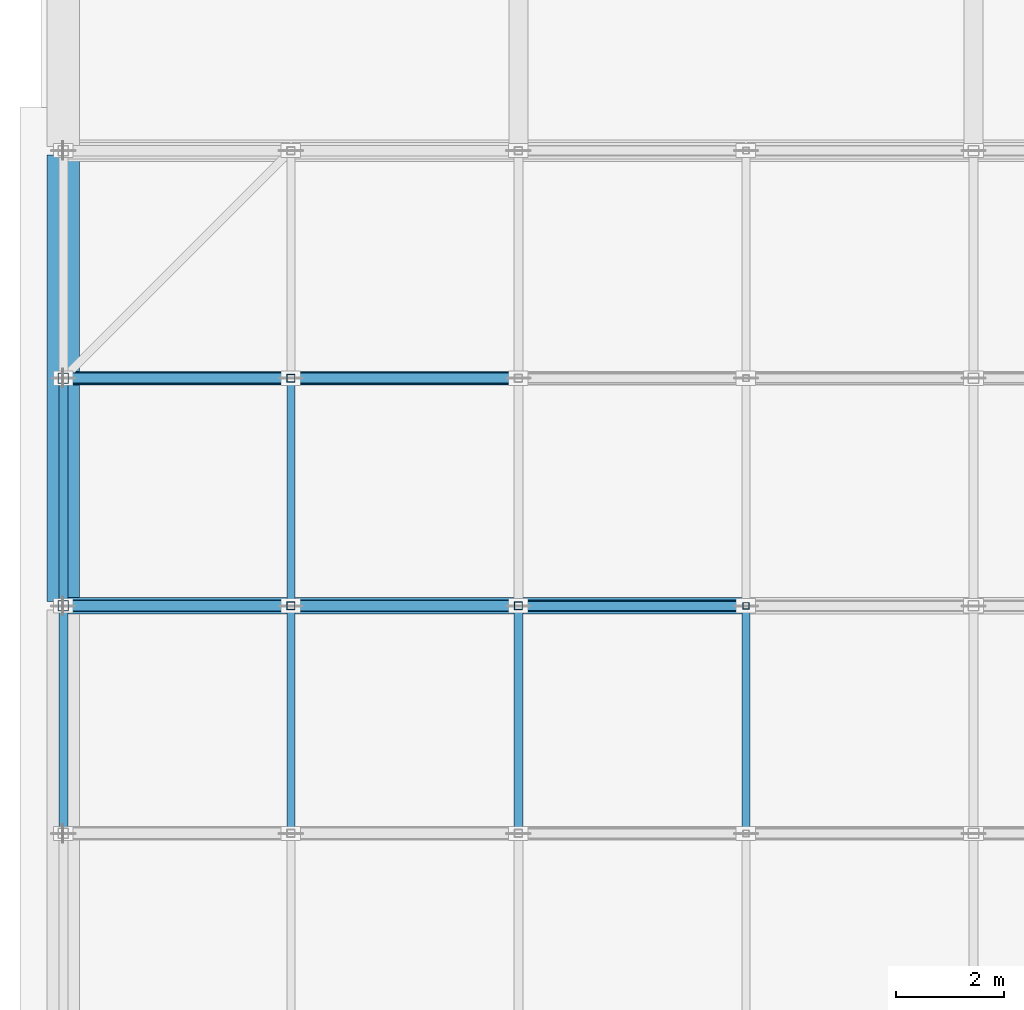
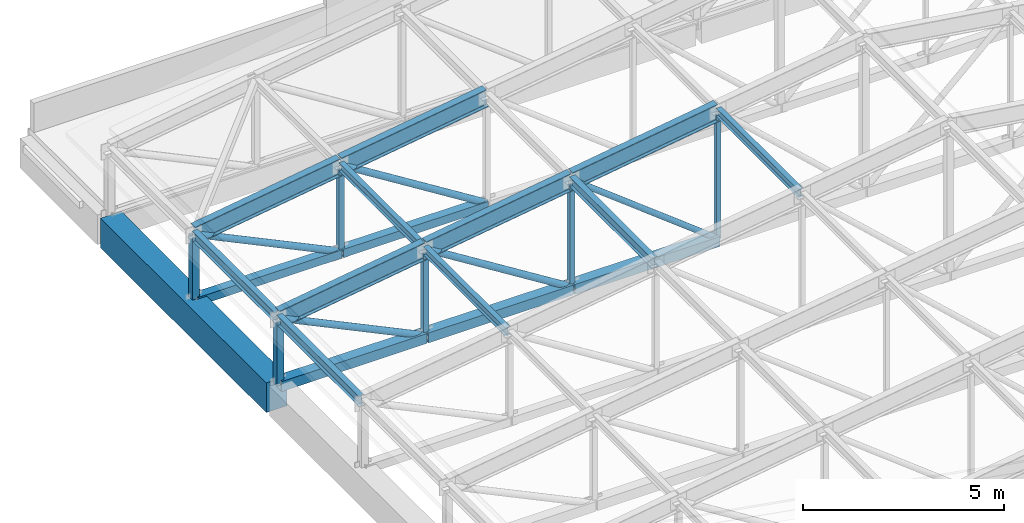
# One storey, part 35 of 122: 27 members, 1 beam.
"""IFC4 building model written with IfcOpenShell, lengths in metres."""

from ifc_helpers import new_model, si_unit, direction, frame, origin, origin_2d, place, context, subcontext, project, spatial, rectangle, hollow_rectangle, hollow_circle, i_section, extrude, material, material_profile, profile_set, type_object, element, save


model = new_model("IFC4")

# Units and contexts
model_context = context("Model", 3, precision=1e-05, world=origin(), true_north=direction((0.0, 1.0)))
body_context = subcontext(model_context, "Body", "Model", "MODEL_VIEW")
ifc_project = project(units=[si_unit("LENGTHUNIT", "METRE"), si_unit("AREAUNIT", "SQUARE_METRE"), si_unit("VOLUMEUNIT", "CUBIC_METRE"), si_unit("PLANEANGLEUNIT", "RADIAN"), si_unit("MASSUNIT", "GRAM", prefix="KILO")], contexts=[model_context])

# Site, building, storey
site_placement = place(None, origin())
site = spatial("IfcSite", under=ifc_project, at=site_placement, CompositionType="ELEMENT")
building_placement = place(site_placement, origin())
building = spatial("IfcBuilding", under=site, at=building_placement, Name="Telukmera Botanical Conservatory", CompositionType="ELEMENT")
storey_placement = place(building_placement, frame((0.0, 0.0, 10.199951171875)))
storey = spatial("IfcBuildingStorey", under=building, at=storey_placement, Name="L02", CompositionType="ELEMENT", Elevation=10.199951171875)

# Beam
ifc_material_1 = material(Name="Concrete C40/50", Category="concrete")
ifc_material_profile_1 = material_profile(ifc_material_1, rectangle(XDim=0.60009765625, YDim=0.89990234375, at=origin_2d()), Name="RC 600x900")
ifc_profile_set_1 = profile_set([ifc_material_profile_1], Name="Concrete C40/50")
beam_type = type_object("IfcBeamType", Name="Beam_B3", PredefinedType="BEAM", material=ifc_profile_set_1)
beam_placement = place(storey_placement, frame((8.39990234375, 108.47998046875, -0.449951171875), z_axis=(0.0, 1.0, 0.0), x_axis=(-1.0, 0.0, 0.0)))
element("IfcBeam", 1, at=beam_placement, inside=storey, type_object=beam_type, Name="Auditorium Frame Beam beam:V2:L02:eave:84:1084", PredefinedType="BEAM", context=body_context, shape_type="SweptSolid", body=[
    extrude(rectangle(XDim=0.60009765625, YDim=0.89990234375, at=origin_2d()), origin(), (0.0, 0.0, 1.0), 8.239990234375),
])

# Members
ifc_material_2 = material(Name="Steel S355", Category="steel")
ifc_material_profile_2 = material_profile(ifc_material_2, i_section(OverallWidth=0.210693359375, OverallDepth=0.53955078125, WebThickness=0.01171875, FlangeThickness=0.018798828125, FilletRadius=0.0126953125, at=origin_2d()), Name="UB 533x210x109")
ifc_profile_set_2 = profile_set([ifc_material_profile_2], Name="Steel S355")
member_type_1 = type_object("IfcMemberType", Name="Mem_TC1", PredefinedType="CHORD", material=ifc_profile_set_2)
member_1_placement = place(storey_placement, frame((8.419921875, 108.39990234375, 1.923095703125), z_axis=(0.989021335912, 0.0, 0.147772788805), x_axis=(0.0, 1.0, 0.0)))
element("IfcMember", 2, at=member_1_placement, inside=storey, type_object=member_type_1, Name="Auditorium Pratt Truss Top Chord T7-1", PredefinedType="CHORD", context=body_context, shape_type="SweptSolid", body=[
    extrude(i_section(OverallWidth=0.210693359375, OverallDepth=0.53955078125, WebThickness=0.01171875, FlangeThickness=0.018798828125, FilletRadius=0.0126953125, at=origin_2d()), origin(), (0.0, 0.0, 1.0), 4.206298828125),
])
for number, where, z_axis, x_axis, name in (
    (3, (12.619873046875, 108.39990234375, 2.55078125), (0.989022603236, 0.0, 0.147764306545), (0.0, 1.0, 0.0), "Auditorium Pratt Truss Top Chord T7-2"),
    (4, (16.81982421875, 108.39990234375, 3.178466796875), (0.989022603236, 0.0, 0.147764306545), (0.0, 1.0, 0.0), "Auditorium Pratt Truss Top Chord T7-3"),
):
    element("IfcMember", number, at=place(storey_placement, frame(where, z_axis=z_axis, x_axis=x_axis)), inside=storey, type_object=member_type_1, Name=name, PredefinedType="CHORD", context=body_context, shape_type="SweptSolid", body=[
        extrude(i_section(OverallWidth=0.210693359375, OverallDepth=0.53955078125, WebThickness=0.01171875, FlangeThickness=0.018798828125, FilletRadius=0.0126953125, at=origin_2d()), origin(), (0.0, 0.0, 1.0), 4.20654296875),
    ])
member_2_placement = place(storey_placement, frame((8.419921875, 112.60009765625, 1.923095703125), z_axis=(0.989021335912, 0.0, 0.147772788805), x_axis=(0.0, 1.0, 0.0)))
element("IfcMember", 5, at=member_2_placement, inside=storey, type_object=member_type_1, Name="Auditorium Pratt Truss Top Chord T8-1", PredefinedType="CHORD", context=body_context, shape_type="SweptSolid", body=[
    extrude(i_section(OverallWidth=0.210693359375, OverallDepth=0.53955078125, WebThickness=0.01171875, FlangeThickness=0.018798828125, FilletRadius=0.0126953125, at=origin_2d()), origin(), (0.0, 0.0, 1.0), 4.206298828125),
])
member_3_placement = place(storey_placement, frame((12.619873046875, 112.60009765625, 2.55078125), z_axis=(0.989022603236, 0.0, 0.147764306545), x_axis=(0.0, 1.0, 0.0)))
element("IfcMember", 6, at=member_3_placement, inside=storey, type_object=member_type_1, Name="Auditorium Pratt Truss Top Chord T8-2", PredefinedType="CHORD", context=body_context, shape_type="SweptSolid", body=[
    extrude(i_section(OverallWidth=0.210693359375, OverallDepth=0.53955078125, WebThickness=0.01171875, FlangeThickness=0.018798828125, FilletRadius=0.0126953125, at=origin_2d()), origin(), (0.0, 0.0, 1.0), 4.20654296875),
])
ifc_material_profile_3 = material_profile(ifc_material_2, hollow_rectangle(XDim=0.25, YDim=0.25, WallThickness=0.012451171875, at=origin_2d()), Name="SHS 250x250x12.5")
ifc_profile_set_3 = profile_set([ifc_material_profile_3], Name="Steel S355")
member_type_2 = type_object("IfcMemberType", Name="Mem_TC2", PredefinedType="CHORD", material=ifc_profile_set_3)
member_4_placement = place(storey_placement, frame((8.39990234375, 112.60009765625, -0.079833984375), z_axis=(1.0, 0.0, 0.0), x_axis=(0.0, 1.0, 0.0)))
element("IfcMember", 7, at=member_4_placement, inside=storey, type_object=member_type_2, Name="Auditorium Pratt Truss Bottom Chord T8-1", PredefinedType="CHORD", context=body_context, shape_type="SweptSolid", body=[
    extrude(hollow_rectangle(XDim=0.25, YDim=0.25, WallThickness=0.012451171875, at=origin_2d()), origin(), (0.0, 0.0, 1.0), 4.18017578125),
])
member_5_placement = place(storey_placement, frame((12.6201171875, 112.60009765625, -0.079833984375), z_axis=(1.0, 0.0, 0.0), x_axis=(0.0, 1.0, 0.0)))
element("IfcMember", 8, at=member_5_placement, inside=storey, type_object=member_type_2, Name="Auditorium Pratt Truss Bottom Chord T8-2", PredefinedType="CHORD", context=body_context, shape_type="SweptSolid", body=[
    extrude(hollow_rectangle(XDim=0.25, YDim=0.25, WallThickness=0.012451171875, at=origin_2d()), origin(), (0.0, 0.0, 1.0), 4.159912109375),
])
ifc_material_profile_4 = material_profile(ifc_material_2, hollow_rectangle(XDim=0.300048828125, YDim=0.300048828125, WallThickness=0.012451171875, at=origin_2d()), Name="SHS 300x300x12.5")
ifc_profile_set_4 = profile_set([ifc_material_profile_4], Name="Steel S355")
member_type_3 = type_object("IfcMemberType", Name="Mem_TC3", PredefinedType="CHORD", material=ifc_profile_set_4)
member_6_placement = place(storey_placement, frame((8.39990234375, 108.39990234375, -0.079833984375), z_axis=(1.0, 0.0, 0.0), x_axis=(0.0, 1.0, 0.0)))
element("IfcMember", 9, at=member_6_placement, inside=storey, type_object=member_type_3, Name="Auditorium Pratt Truss Bottom Chord T7-1", PredefinedType="CHORD", context=body_context, shape_type="SweptSolid", body=[
    extrude(hollow_rectangle(XDim=0.300048828125, YDim=0.300048828125, WallThickness=0.012451171875, at=origin_2d()), origin(), (0.0, 0.0, 1.0), 4.18017578125),
])
for number, where, z_axis, x_axis, name in (
    (10, (12.6201171875, 108.39990234375, -0.079833984375), (1.0, 0.0, 0.0), (0.0, 1.0, 0.0), "Auditorium Pratt Truss Bottom Chord T7-2"),
    (11, (16.820068359375, 108.39990234375, -0.079833984375), (1.0, 0.0, 0.0), (0.0, 1.0, 0.0), "Auditorium Pratt Truss Bottom Chord T7-3"),
):
    element("IfcMember", number, at=place(storey_placement, frame(where, z_axis=z_axis, x_axis=x_axis)), inside=storey, type_object=member_type_3, Name=name, PredefinedType="CHORD", context=body_context, shape_type="SweptSolid", body=[
        extrude(hollow_rectangle(XDim=0.300048828125, YDim=0.300048828125, WallThickness=0.012451171875, at=origin_2d()), origin(), (0.0, 0.0, 1.0), 4.159912109375),
    ])
ifc_material_profile_5 = material_profile(ifc_material_2, hollow_circle(Radius=0.096923828125, WallThickness=0.008056640625, at=origin_2d()), Name="CHS 193.7x8.0")
ifc_profile_set_5 = profile_set([ifc_material_profile_5], Name="Steel S355")
member_type_4 = type_object("IfcMemberType", Name="Mem_TD1", PredefinedType="BRACE", material=ifc_profile_set_5)
member_7_placement = place(storey_placement, frame((8.427001953125, 108.39990234375, 1.9072265625), z_axis=(0.902853639645, 0.0, -0.42994802637), x_axis=(0.0, 1.0, 0.0)))
element("IfcMember", 12, at=member_7_placement, inside=storey, type_object=member_type_4, Name="Auditorium Pratt Truss Web Diagonal T7-D1", PredefinedType="BRACE", context=body_context, shape_type="SweptSolid", body=[
    extrude(hollow_circle(Radius=0.096923828125, WallThickness=0.008056640625, at=origin_2d()), origin(), (0.0, 0.0, 1.0), 4.592041015625),
])
member_8_placement = place(storey_placement, frame((12.62548828125, 108.39990234375, 2.53173828125), z_axis=(0.84777122797, 0.0, -0.530362088601), x_axis=(0.0, 1.0, 0.0)))
element("IfcMember", 13, at=member_8_placement, inside=storey, type_object=member_type_4, Name="Auditorium Pratt Truss Web Diagonal T7-D2", PredefinedType="BRACE", context=body_context, shape_type="SweptSolid", body=[
    extrude(hollow_circle(Radius=0.096923828125, WallThickness=0.008056640625, at=origin_2d()), origin(), (0.0, 0.0, 1.0), 4.894287109375),
])
member_9_placement = place(storey_placement, frame((8.427001953125, 112.60009765625, 1.9072265625), z_axis=(0.902853639645, 0.0, -0.42994802637), x_axis=(0.0, 1.0, 0.0)))
element("IfcMember", 14, at=member_9_placement, inside=storey, type_object=member_type_4, Name="Auditorium Pratt Truss Web Diagonal T8-D1", PredefinedType="BRACE", context=body_context, shape_type="SweptSolid", body=[
    extrude(hollow_circle(Radius=0.096923828125, WallThickness=0.008056640625, at=origin_2d()), origin(), (0.0, 0.0, 1.0), 4.592041015625),
])
member_10_placement = place(storey_placement, frame((12.62548828125, 112.60009765625, 2.53173828125), z_axis=(0.84777122797, 0.0, -0.530362088601), x_axis=(0.0, 1.0, 0.0)))
element("IfcMember", 15, at=member_10_placement, inside=storey, type_object=member_type_4, Name="Auditorium Pratt Truss Web Diagonal T8-D2", PredefinedType="BRACE", context=body_context, shape_type="SweptSolid", body=[
    extrude(hollow_circle(Radius=0.096923828125, WallThickness=0.008056640625, at=origin_2d()), origin(), (0.0, 0.0, 1.0), 4.894287109375),
])
ifc_material_profile_6 = material_profile(ifc_material_2, hollow_circle(Radius=0.084228515625, WallThickness=0.008056640625, at=origin_2d()), Name="CHS 168.3x8.0")
ifc_profile_set_6 = profile_set([ifc_material_profile_6], Name="Steel S355")
member_type_5 = type_object("IfcMemberType", Name="Mem_TD2", PredefinedType="BRACE", material=ifc_profile_set_6)
member_11_placement = place(storey_placement, frame((16.82373046875, 108.39990234375, 3.156982421875), z_axis=(0.790391989469, 0.0, -0.61260142261), x_axis=(0.0, 1.0, 0.0)))
element("IfcMember", 16, at=member_11_placement, inside=storey, type_object=member_type_5, Name="Auditorium Pratt Truss Web Diagonal T7-D3", PredefinedType="BRACE", context=body_context, shape_type="SweptSolid", body=[
    extrude(hollow_circle(Radius=0.084228515625, WallThickness=0.008056640625, at=origin_2d()), origin(), (0.0, 0.0, 1.0), 5.25390625),
])
ifc_material_profile_7 = material_profile(ifc_material_2, i_section(OverallWidth=0.165771484375, OverallDepth=0.306640625, WebThickness=0.006591796875, FlangeThickness=0.01171875, FilletRadius=0.0087890625, at=origin_2d()), Name="UB 305x165x46")
ifc_profile_set_7 = profile_set([ifc_material_profile_7], Name="Steel S355")
member_type_6 = type_object("IfcMemberType", Name="Mem_TPB1", PredefinedType="PURLIN", material=ifc_profile_set_7)
for number, where, z_axis, x_axis, name in (
    (17, (8.39990234375, 104.260009765625, 1.920166015625), (0.0, 1.0, 0.0), (-1.0, 0.0, 0.0), "Auditorium Roof Steel Purlin P6-0"),
    (18, (16.800048828125, 104.260009765625, 3.175537109375), (0.0, 1.0, 0.0), (-1.0, 0.0, 0.0), "Auditorium Roof Steel Purlin P6-2"),
    (19, (8.39990234375, 108.4599609375, 1.920166015625), (0.0, 1.0, 0.0), (-1.0, 0.0, 0.0), "Auditorium Roof Steel Purlin P7-0"),
):
    element("IfcMember", number, at=place(storey_placement, frame(where, z_axis=z_axis, x_axis=x_axis)), inside=storey, type_object=member_type_6, Name=name, PredefinedType="PURLIN", context=body_context, shape_type="SweptSolid", body=[
        extrude(i_section(OverallWidth=0.165771484375, OverallDepth=0.306640625, WebThickness=0.006591796875, FlangeThickness=0.01171875, FilletRadius=0.0087890625, at=origin_2d()), origin(), (0.0, 0.0, 1.0), 4.080078125),
    ])
ifc_material_profile_8 = material_profile(ifc_material_2, i_section(OverallWidth=0.146484375, OverallDepth=0.256103515625, WebThickness=0.00634765625, FlangeThickness=0.010986328125, FilletRadius=0.007568359375, at=origin_2d()), Name="UB 254x146x37")
ifc_profile_set_8 = profile_set([ifc_material_profile_8], Name="Steel S355")
member_type_7 = type_object("IfcMemberType", Name="Mem_TPB2", PredefinedType="PURLIN", material=ifc_profile_set_8)
for number, where, z_axis, x_axis, name in (
    (20, (12.60009765625, 104.260009765625, 2.5478515625), (0.0, 1.0, 0.0), (-1.0, 0.0, 0.0), "Auditorium Roof Steel Purlin P6-1"),
    (21, (21.0, 104.260009765625, 3.80322265625), (0.0, 1.0, 0.0), (-1.0, 0.0, 0.0), "Auditorium Roof Steel Purlin P6-3"),
    (22, (12.60009765625, 108.4599609375, 2.5478515625), (0.0, 1.0, 0.0), (-1.0, 0.0, 0.0), "Auditorium Roof Steel Purlin P7-1"),
):
    element("IfcMember", number, at=place(storey_placement, frame(where, z_axis=z_axis, x_axis=x_axis)), inside=storey, type_object=member_type_7, Name=name, PredefinedType="PURLIN", context=body_context, shape_type="SweptSolid", body=[
        extrude(i_section(OverallWidth=0.146484375, OverallDepth=0.256103515625, WebThickness=0.00634765625, FlangeThickness=0.010986328125, FilletRadius=0.007568359375, at=origin_2d()), origin(), (0.0, 0.0, 1.0), 4.080078125),
    ])
ifc_material_profile_9 = material_profile(ifc_material_2, hollow_rectangle(XDim=0.199951171875, YDim=0.199951171875, WallThickness=0.010009765625, at=origin_2d()), Name="SHS 200x200x10.0")
ifc_profile_set_9 = profile_set([ifc_material_profile_9], Name="Steel S355")
member_type_8 = type_object("IfcMemberType", Name="Mem_TV1", PredefinedType="POST", material=ifc_profile_set_9)
for number, where, z_axis, x_axis, name in (
    (23, (8.39990234375, 108.39990234375, -0.06005859375), (0.0, 0.0, 1.0), (1.0, 0.0, 0.0), "Auditorium Pratt Truss Vertical T7-V0"),
    (24, (8.39990234375, 112.60009765625, -0.06005859375), (0.0, 0.0, 1.0), (1.0, 0.0, 0.0), "Auditorium Pratt Truss Vertical T8-V0"),
):
    element("IfcMember", number, at=place(storey_placement, frame(where, z_axis=z_axis, x_axis=x_axis)), inside=storey, type_object=member_type_8, Name=name, PredefinedType="POST", context=body_context, shape_type="SweptSolid", body=[
        extrude(hollow_rectangle(XDim=0.199951171875, YDim=0.199951171875, WallThickness=0.010009765625, at=origin_2d()), origin(), (0.0, 0.0, 1.0), 1.960205078125),
    ])
ifc_material_profile_10 = material_profile(ifc_material_2, hollow_rectangle(XDim=0.14990234375, YDim=0.14990234375, WallThickness=0.008056640625, at=origin_2d()), Name="SHS 150x150x8.0")
ifc_profile_set_10 = profile_set([ifc_material_profile_10], Name="Steel S355")
member_type_9 = type_object("IfcMemberType", Name="Mem_TV2", PredefinedType="POST", material=ifc_profile_set_10)
member_12_placement = place(storey_placement, frame((12.60009765625, 108.39990234375, -0.06005859375), z_axis=(0.0, 0.0, 1.0), x_axis=(1.0, 0.0, 0.0)))
element("IfcMember", 25, at=member_12_placement, inside=storey, type_object=member_type_9, Name="Auditorium Pratt Truss Vertical T7-V1", PredefinedType="POST", context=body_context, shape_type="SweptSolid", body=[
    extrude(hollow_rectangle(XDim=0.14990234375, YDim=0.14990234375, WallThickness=0.008056640625, at=origin_2d()), origin(), (0.0, 0.0, 1.0), 2.587890625),
])
member_13_placement = place(storey_placement, frame((16.800048828125, 108.39990234375, -0.06005859375), z_axis=(0.0, 0.0, 1.0), x_axis=(1.0, 0.0, 0.0)))
element("IfcMember", 26, at=member_13_placement, inside=storey, type_object=member_type_9, Name="Auditorium Pratt Truss Vertical T7-V2", PredefinedType="POST", context=body_context, shape_type="SweptSolid", body=[
    extrude(hollow_rectangle(XDim=0.14990234375, YDim=0.14990234375, WallThickness=0.008056640625, at=origin_2d()), origin(), (0.0, 0.0, 1.0), 3.215576171875),
])
member_14_placement = place(storey_placement, frame((12.60009765625, 112.60009765625, -0.06005859375), z_axis=(0.0, 0.0, 1.0), x_axis=(1.0, 0.0, 0.0)))
element("IfcMember", 27, at=member_14_placement, inside=storey, type_object=member_type_9, Name="Auditorium Pratt Truss Vertical T8-V1", PredefinedType="POST", context=body_context, shape_type="SweptSolid", body=[
    extrude(hollow_rectangle(XDim=0.14990234375, YDim=0.14990234375, WallThickness=0.008056640625, at=origin_2d()), origin(), (0.0, 0.0, 1.0), 2.587890625),
])
ifc_material_profile_11 = material_profile(ifc_material_2, hollow_rectangle(XDim=0.1201171875, YDim=0.1201171875, WallThickness=0.00634765625, at=origin_2d()), Name="SHS 120x120x6.3")
ifc_profile_set_11 = profile_set([ifc_material_profile_11], Name="Steel S355")
member_type_10 = type_object("IfcMemberType", Name="Mem_TV3", PredefinedType="POST", material=ifc_profile_set_11)
member_15_placement = place(storey_placement, frame((21.0, 108.39990234375, -0.06005859375), z_axis=(0.0, 0.0, 1.0), x_axis=(1.0, 0.0, 0.0)))
element("IfcMember", 28, at=member_15_placement, inside=storey, type_object=member_type_10, Name="Auditorium Pratt Truss Vertical T7-V3", PredefinedType="POST", context=body_context, shape_type="SweptSolid", body=[
    extrude(hollow_rectangle(XDim=0.1201171875, YDim=0.1201171875, WallThickness=0.00634765625, at=origin_2d()), origin(), (0.0, 0.0, 1.0), 3.84326171875),
])

save(model, "model.ifc")
